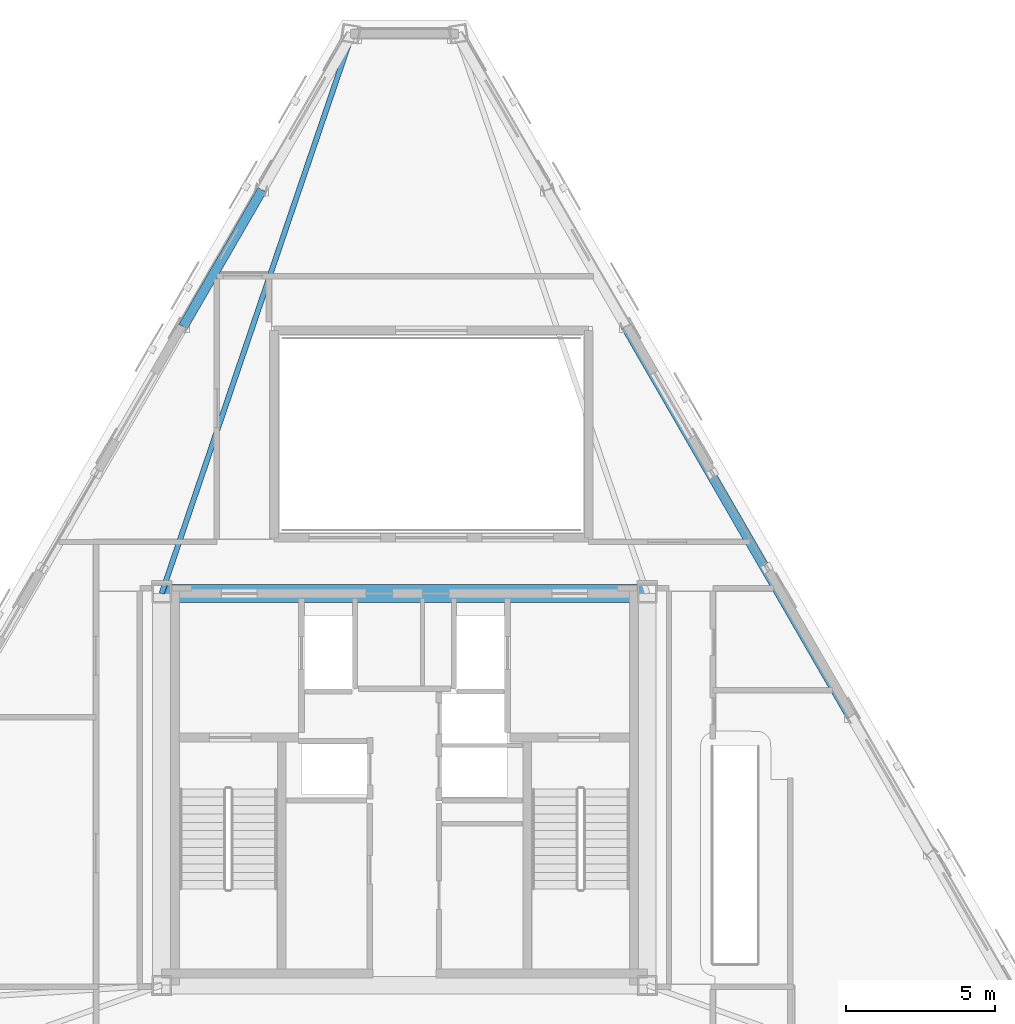
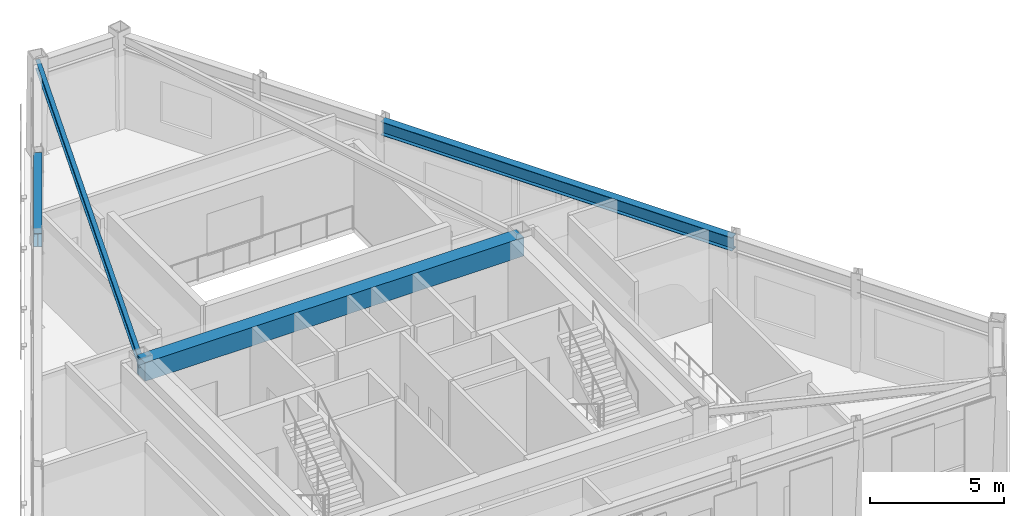
# One storey, part 5 of 14: 4 beams.
"""IFC4 building model written with IfcOpenShell, lengths in metres."""

from ifc_helpers import new_model, si_unit, direction, frame, origin, origin_2d, place, context, subcontext, project, spatial, rectangle, i_section, extrude, material, material_profile, profile_set, type_object, element, save


model = new_model("IFC4")

# Units and contexts
model_context = context("Model", 3, precision=1e-05, world=origin(), true_north=direction((0.0, 1.0)))
body_context = subcontext(model_context, "Body", "Model", "MODEL_VIEW")
ifc_project = project(units=[si_unit("LENGTHUNIT", "METRE"), si_unit("AREAUNIT", "SQUARE_METRE"), si_unit("VOLUMEUNIT", "CUBIC_METRE"), si_unit("PLANEANGLEUNIT", "RADIAN"), si_unit("MASSUNIT", "GRAM", prefix="KILO")], contexts=[model_context])

# Site, building, storey
site_placement = place(None, origin())
site = spatial("IfcSite", under=ifc_project, at=site_placement, CompositionType="ELEMENT")
building_placement = place(site_placement, origin())
building = spatial("IfcBuilding", under=site, at=building_placement, Name="Oramaril Tower", CompositionType="ELEMENT")
storey_placement = place(building_placement, frame((0.0, 0.0, 309.60009765625)))
storey = spatial("IfcBuildingStorey", under=building, at=storey_placement, Name="L81", CompositionType="ELEMENT", Elevation=309.60009765625)

# Beams
ifc_material_1 = material(Name="Concrete C50/60", Category="concrete")
ifc_material_profile_1 = material_profile(ifc_material_1, rectangle(XDim=0.60009765625, YDim=0.85009765625, at=origin_2d()), Name="CB600X850")
ifc_profile_set_1 = profile_set([ifc_material_profile_1], Name="Concrete C50/60")
beam_type_1 = type_object("IfcBeamType", Name="BT-CB2", PredefinedType="BEAM", material=ifc_profile_set_1)
beam_1_placement = place(storey_placement, frame((45.64990234375, 24.14990234375, 3.81494140625), z_axis=(-1.0, 0.0, 0.0), x_axis=(0.0, -1.0, 0.0)))
element("IfcBeam", 1, at=beam_1_placement, inside=storey, type_object=beam_type_1, Name="L81 Core Header Beam CB-3", PredefinedType="BEAM", context=body_context, shape_type="SweptSolid", body=[
    extrude(rectangle(XDim=0.60009765625, YDim=0.85009765625, at=origin_2d()), origin(), (0.0, 0.0, 1.0), 16.2998046875),
])
ifc_material_2 = material(Name="Steel ASTM A572 Gr 50", Category="steel")
ifc_material_profile_2 = material_profile(ifc_material_2, i_section(OverallWidth=0.177978515625, OverallDepth=0.404052734375, WebThickness=0.007568359375, FlangeThickness=0.010986328125, at=origin_2d()), Name="W16X36")
ifc_profile_set_2 = profile_set([ifc_material_profile_2], Name="Steel ASTM A572 Gr 50")
beam_type_2 = type_object("IfcBeamType", Name="BT-SB1", PredefinedType="BEAM", material=ifc_profile_set_2)
beam_2_placement = place(storey_placement, frame((29.35009765625, 24.14990234375, 4.037841796875), z_axis=(0.322287262769, 0.946641917652, 0.0), x_axis=(-0.946641917652, 0.322287262769, 0.0)))
element("IfcBeam", 2, at=beam_2_placement, inside=storey, type_object=beam_type_2, Name="L81 Radial Primary Beam RB-06", PredefinedType="BEAM", context=body_context, shape_type="SweptSolid", body=[
    extrude(i_section(OverallWidth=0.177978515625, OverallDepth=0.404052734375, WebThickness=0.007568359375, FlangeThickness=0.010986328125, at=origin_2d()), origin(), (0.0, 0.0, 1.0), 19.838134765625),
])
ifc_material_3 = material(Name="Steel ASTM A572 Gr 50", Category="steel")
ifc_material_profile_3 = material_profile(ifc_material_3, i_section(OverallWidth=0.324951171875, OverallDepth=0.612060546875, WebThickness=0.0126953125, FlangeThickness=0.01904296875, at=origin_2d()), Name="W24X104")
ifc_profile_set_3 = profile_set([ifc_material_profile_3], Name="Steel ASTM A572 Gr 50")
beam_type_3 = type_object("IfcBeamType", Name="BT-SP5", PredefinedType="SPANDREL", material=ifc_profile_set_3)
beam_3_placement = place(storey_placement, frame((52.481201171875, 20.023193359375, 3.933837890625), z_axis=(-0.499999305434, 0.866025804792, 0.0), x_axis=(-0.866025804792, -0.499999305434, 0.0)))
element("IfcBeam", 3, at=beam_3_placement, inside=storey, type_object=beam_type_3, Name="L81 Perimeter Spandrel 10", PredefinedType="SPANDREL", context=body_context, shape_type="SweptSolid", body=[
    extrude(i_section(OverallWidth=0.324951171875, OverallDepth=0.612060546875, WebThickness=0.0126953125, FlangeThickness=0.01904296875, at=origin_2d()), origin(), (0.0, 0.0, 1.0), 15.1142578125),
])
beam_4_placement = place(storey_placement, frame((32.720947265625, 37.693603515625, 3.933837890625), z_axis=(-0.500020753057, -0.86601342167, 0.0), x_axis=(0.86601342167, -0.500020753057, 0.0)))
element("IfcBeam", 4, at=beam_4_placement, inside=storey, type_object=beam_type_3, Name="L81 Perimeter Spandrel 15", PredefinedType="SPANDREL", context=body_context, shape_type="SweptSolid", body=[
    extrude(i_section(OverallWidth=0.324951171875, OverallDepth=0.612060546875, WebThickness=0.0126953125, FlangeThickness=0.01904296875, at=origin_2d()), origin(), (0.0, 0.0, 1.0), 5.289794921875),
])

save(model, "model.ifc")
